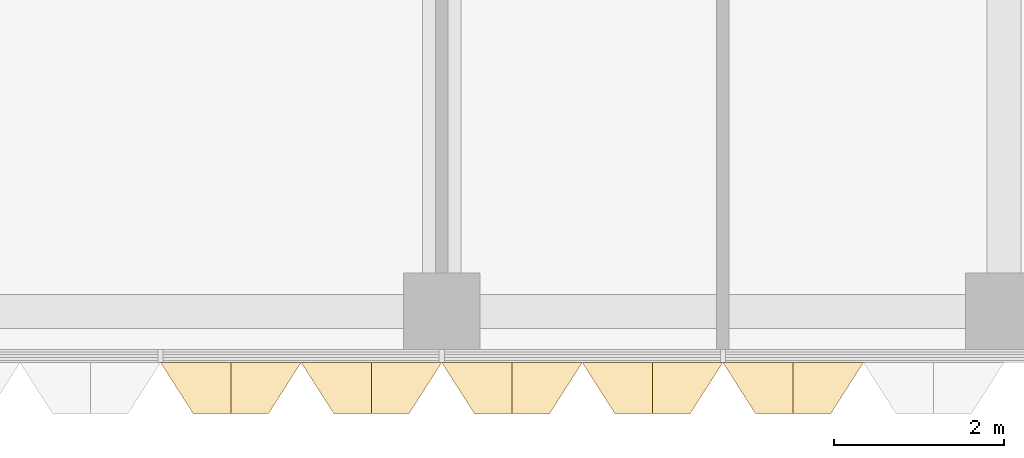
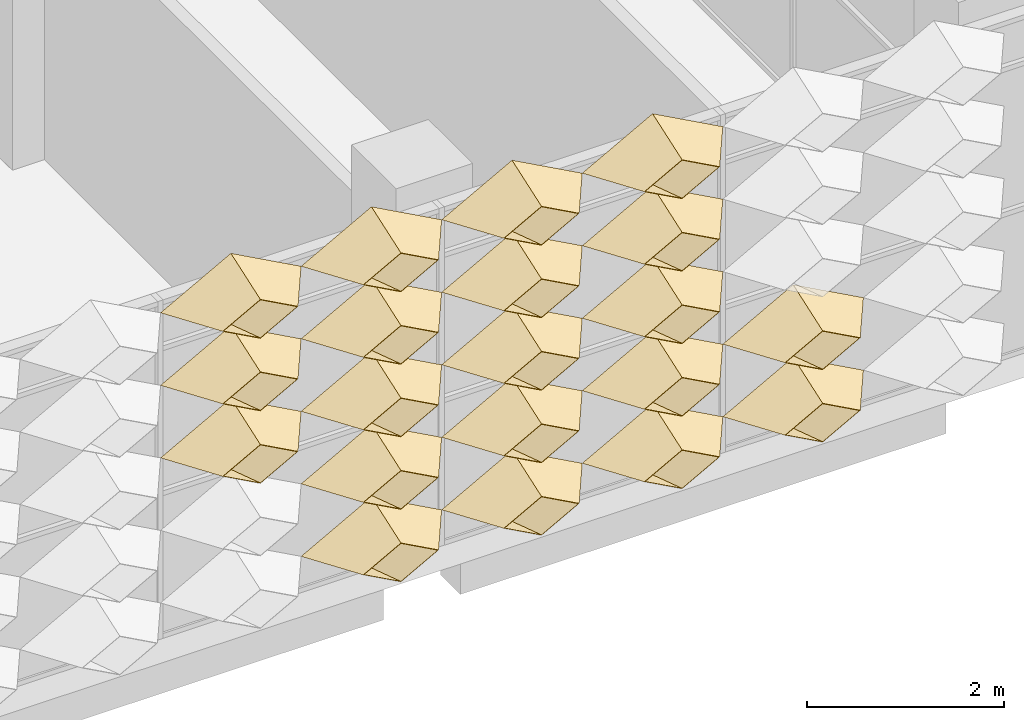
# One storey, part 78 of 109: 20 coverings.
"""IFC4 building model written with IfcOpenShell, lengths in metres."""

from ifc_helpers import new_model, entity, si_unit, direction, frame, origin, place, context, subcontext, project, spatial, material, layer, layer_set, type_object, element, save


model = new_model("IFC4")

# Units and contexts
model_context = context("Model", 3, precision=1e-05, world=origin(), true_north=direction((0.0, 1.0)))
body_context = subcontext(model_context, "Body", "Model", "MODEL_VIEW")
ifc_project = project(units=[si_unit("LENGTHUNIT", "METRE"), si_unit("AREAUNIT", "SQUARE_METRE"), si_unit("VOLUMEUNIT", "CUBIC_METRE"), si_unit("PLANEANGLEUNIT", "RADIAN"), si_unit("MASSUNIT", "GRAM", prefix="KILO")], contexts=[model_context])

# Site, building, storey
site_placement = place(None, origin())
site = spatial("IfcSite", under=ifc_project, at=site_placement, CompositionType="ELEMENT")
building_placement = place(site_placement, origin())
building = spatial("IfcBuilding", under=site, at=building_placement, Name="Lantern Court Research Institute", CompositionType="ELEMENT")
storey_placement = place(building_placement, frame((0.0, 0.0, 14.39990234375)))
storey = spatial("IfcBuildingStorey", under=building, at=storey_placement, Name="L03", CompositionType="ELEMENT", Elevation=14.39990234375)

# Coverings
ifc_material = material(Name="Anodised aluminium", Category="aluminium")
ifc_layer = layer(ifc_material, 0.01611328125)
ifc_layer_set = layer_set([ifc_layer], Name="Anodised aluminium")
covering_type = type_object("IfcCoveringType", Name="Fin cassette 1650 x 900 x 600 aluminium", PredefinedType="CLADDING", material=ifc_layer_set)
covering_1_placement = place(storey_placement, frame((71.77490234375, -8.39990234375, 0.4501953125), z_axis=(0.0, -1.0, 0.0), x_axis=(1.0, 0.0, 0.0)))
cartesian_point_1 = entity("IfcCartesianPoint", [0.824951171875, 0.0])
cartesian_point_2 = entity("IfcCartesianPoint", [0.79150390625, 0.0])
cartesian_point_3 = entity("IfcCartesianPoint", [0.44189453125, 0.0])
cartesian_point_4 = entity("IfcCartesianPoint", [0.43359375, 0.0])
element("IfcCovering", 1, at=covering_1_placement, inside=storey, type_object=covering_type, Name="Fin cassette V5S-L03 1.44", PredefinedType="CLADDING", context=body_context, shape_type="SweptSolid", body=[
    entity("IfcExtrudedAreaSolidTapered", entity("IfcArbitraryProfileDefWithVoids", "AREA", None, entity("IfcPolyline", [cartesian_point_1, entity("IfcCartesianPoint", [0.0, 0.449951171875]), entity("IfcCartesianPoint", [-0.824951171875, 0.0]), entity("IfcCartesianPoint", [0.0, -0.449951171875]), cartesian_point_1]), [entity("IfcPolyline", [cartesian_point_2, entity("IfcCartesianPoint", [0.0, 0.431884765625]), entity("IfcCartesianPoint", [-0.79150390625, 0.0]), entity("IfcCartesianPoint", [0.0, -0.431884765625]), cartesian_point_2])]), entity("IfcAxis2Placement3D", entity("IfcCartesianPoint", [0.0, 0.0, 0.0])), entity("IfcDirection", [0.0, 0.0, 1.0]), 0.60009765625, entity("IfcArbitraryProfileDefWithVoids", "AREA", None, entity("IfcPolyline", [cartesian_point_3, entity("IfcCartesianPoint", [0.0, 0.240966796875]), entity("IfcCartesianPoint", [-0.44189453125, 0.0]), entity("IfcCartesianPoint", [0.0, -0.240966796875]), cartesian_point_3]), [entity("IfcPolyline", [cartesian_point_4, entity("IfcCartesianPoint", [0.0, 0.236572265625]), entity("IfcCartesianPoint", [-0.43359375, 0.0]), entity("IfcCartesianPoint", [0.0, -0.236572265625]), cartesian_point_4])])),
])
covering_2_placement = place(storey_placement, frame((73.425048828125, -8.39990234375, 0.4501953125), z_axis=(0.0, -1.0, 0.0), x_axis=(1.0, 0.0, 0.0)))
cartesian_point_5 = entity("IfcCartesianPoint", [0.824951171875, 0.0])
cartesian_point_6 = entity("IfcCartesianPoint", [0.79150390625, 0.0])
cartesian_point_7 = entity("IfcCartesianPoint", [0.44189453125, 0.0])
cartesian_point_8 = entity("IfcCartesianPoint", [0.43359375, 0.0])
element("IfcCovering", 2, at=covering_2_placement, inside=storey, type_object=covering_type, Name="Fin cassette V5S-L03 1.45", PredefinedType="CLADDING", context=body_context, shape_type="SweptSolid", body=[
    entity("IfcExtrudedAreaSolidTapered", entity("IfcArbitraryProfileDefWithVoids", "AREA", None, entity("IfcPolyline", [cartesian_point_5, entity("IfcCartesianPoint", [0.0, 0.449951171875]), entity("IfcCartesianPoint", [-0.824951171875, 0.0]), entity("IfcCartesianPoint", [0.0, -0.449951171875]), cartesian_point_5]), [entity("IfcPolyline", [cartesian_point_6, entity("IfcCartesianPoint", [0.0, 0.431884765625]), entity("IfcCartesianPoint", [-0.79150390625, 0.0]), entity("IfcCartesianPoint", [0.0, -0.431884765625]), cartesian_point_6])]), entity("IfcAxis2Placement3D", entity("IfcCartesianPoint", [0.0, 0.0, 0.0])), entity("IfcDirection", [0.0, 0.0, 1.0]), 0.60009765625, entity("IfcArbitraryProfileDefWithVoids", "AREA", None, entity("IfcPolyline", [cartesian_point_7, entity("IfcCartesianPoint", [0.0, 0.240966796875]), entity("IfcCartesianPoint", [-0.44189453125, 0.0]), entity("IfcCartesianPoint", [0.0, -0.240966796875]), cartesian_point_7]), [entity("IfcPolyline", [cartesian_point_8, entity("IfcCartesianPoint", [0.0, 0.236572265625]), entity("IfcCartesianPoint", [-0.43359375, 0.0]), entity("IfcCartesianPoint", [0.0, -0.236572265625]), cartesian_point_8])])),
])
covering_3_placement = place(storey_placement, frame((75.074951171875, -8.39990234375, 0.4501953125), z_axis=(0.0, -1.0, 0.0), x_axis=(1.0, 0.0, 0.0)))
cartesian_point_9 = entity("IfcCartesianPoint", [0.824951171875, 0.0])
cartesian_point_10 = entity("IfcCartesianPoint", [0.79150390625, 0.0])
cartesian_point_11 = entity("IfcCartesianPoint", [0.44189453125, 0.0])
cartesian_point_12 = entity("IfcCartesianPoint", [0.43359375, 0.0])
element("IfcCovering", 3, at=covering_3_placement, inside=storey, type_object=covering_type, Name="Fin cassette V5S-L03 1.46", PredefinedType="CLADDING", context=body_context, shape_type="SweptSolid", body=[
    entity("IfcExtrudedAreaSolidTapered", entity("IfcArbitraryProfileDefWithVoids", "AREA", None, entity("IfcPolyline", [cartesian_point_9, entity("IfcCartesianPoint", [0.0, 0.449951171875]), entity("IfcCartesianPoint", [-0.824951171875, 0.0]), entity("IfcCartesianPoint", [0.0, -0.449951171875]), cartesian_point_9]), [entity("IfcPolyline", [cartesian_point_10, entity("IfcCartesianPoint", [0.0, 0.431884765625]), entity("IfcCartesianPoint", [-0.79150390625, 0.0]), entity("IfcCartesianPoint", [0.0, -0.431884765625]), cartesian_point_10])]), entity("IfcAxis2Placement3D", entity("IfcCartesianPoint", [0.0, 0.0, 0.0])), entity("IfcDirection", [0.0, 0.0, 1.0]), 0.60009765625, entity("IfcArbitraryProfileDefWithVoids", "AREA", None, entity("IfcPolyline", [cartesian_point_11, entity("IfcCartesianPoint", [0.0, 0.240966796875]), entity("IfcCartesianPoint", [-0.44189453125, 0.0]), entity("IfcCartesianPoint", [0.0, -0.240966796875]), cartesian_point_11]), [entity("IfcPolyline", [cartesian_point_12, entity("IfcCartesianPoint", [0.0, 0.236572265625]), entity("IfcCartesianPoint", [-0.43359375, 0.0]), entity("IfcCartesianPoint", [0.0, -0.236572265625]), cartesian_point_12])])),
])
covering_4_placement = place(storey_placement, frame((76.72509765625, -8.39990234375, 0.4501953125), z_axis=(0.0, -1.0, 0.0), x_axis=(1.0, 0.0, 0.0)))
cartesian_point_13 = entity("IfcCartesianPoint", [0.824951171875, 0.0])
cartesian_point_14 = entity("IfcCartesianPoint", [0.79150390625, 0.0])
cartesian_point_15 = entity("IfcCartesianPoint", [0.44189453125, 0.0])
cartesian_point_16 = entity("IfcCartesianPoint", [0.43359375, 0.0])
element("IfcCovering", 4, at=covering_4_placement, inside=storey, type_object=covering_type, Name="Fin cassette V5S-L03 1.47", PredefinedType="CLADDING", context=body_context, shape_type="SweptSolid", body=[
    entity("IfcExtrudedAreaSolidTapered", entity("IfcArbitraryProfileDefWithVoids", "AREA", None, entity("IfcPolyline", [cartesian_point_13, entity("IfcCartesianPoint", [0.0, 0.449951171875]), entity("IfcCartesianPoint", [-0.824951171875, 0.0]), entity("IfcCartesianPoint", [0.0, -0.449951171875]), cartesian_point_13]), [entity("IfcPolyline", [cartesian_point_14, entity("IfcCartesianPoint", [0.0, 0.431884765625]), entity("IfcCartesianPoint", [-0.79150390625, 0.0]), entity("IfcCartesianPoint", [0.0, -0.431884765625]), cartesian_point_14])]), entity("IfcAxis2Placement3D", entity("IfcCartesianPoint", [0.0, 0.0, 0.0])), entity("IfcDirection", [0.0, 0.0, 1.0]), 0.60009765625, entity("IfcArbitraryProfileDefWithVoids", "AREA", None, entity("IfcPolyline", [cartesian_point_15, entity("IfcCartesianPoint", [0.0, 0.240966796875]), entity("IfcCartesianPoint", [-0.44189453125, 0.0]), entity("IfcCartesianPoint", [0.0, -0.240966796875]), cartesian_point_15]), [entity("IfcPolyline", [cartesian_point_16, entity("IfcCartesianPoint", [0.0, 0.236572265625]), entity("IfcCartesianPoint", [-0.43359375, 0.0]), entity("IfcCartesianPoint", [0.0, -0.236572265625]), cartesian_point_16])])),
])
covering_5_placement = place(storey_placement, frame((71.77490234375, -8.39990234375, 1.35009765625), z_axis=(0.0, -1.0, 0.0), x_axis=(1.0, 0.0, 0.0)))
cartesian_point_17 = entity("IfcCartesianPoint", [0.824951171875, 0.0])
cartesian_point_18 = entity("IfcCartesianPoint", [0.79150390625, 0.0])
cartesian_point_19 = entity("IfcCartesianPoint", [0.44189453125, 0.0])
cartesian_point_20 = entity("IfcCartesianPoint", [0.43359375, 0.0])
element("IfcCovering", 5, at=covering_5_placement, inside=storey, type_object=covering_type, Name="Fin cassette V5S-L03 2.44", PredefinedType="CLADDING", context=body_context, shape_type="SweptSolid", body=[
    entity("IfcExtrudedAreaSolidTapered", entity("IfcArbitraryProfileDefWithVoids", "AREA", None, entity("IfcPolyline", [cartesian_point_17, entity("IfcCartesianPoint", [0.0, 0.449951171875]), entity("IfcCartesianPoint", [-0.824951171875, 0.0]), entity("IfcCartesianPoint", [0.0, -0.449951171875]), cartesian_point_17]), [entity("IfcPolyline", [cartesian_point_18, entity("IfcCartesianPoint", [0.0, 0.431884765625]), entity("IfcCartesianPoint", [-0.79150390625, 0.0]), entity("IfcCartesianPoint", [0.0, -0.431884765625]), cartesian_point_18])]), entity("IfcAxis2Placement3D", entity("IfcCartesianPoint", [0.0, 0.0, 0.0])), entity("IfcDirection", [0.0, 0.0, 1.0]), 0.60009765625, entity("IfcArbitraryProfileDefWithVoids", "AREA", None, entity("IfcPolyline", [cartesian_point_19, entity("IfcCartesianPoint", [0.0, 0.240966796875]), entity("IfcCartesianPoint", [-0.44189453125, 0.0]), entity("IfcCartesianPoint", [0.0, -0.240966796875]), cartesian_point_19]), [entity("IfcPolyline", [cartesian_point_20, entity("IfcCartesianPoint", [0.0, 0.236572265625]), entity("IfcCartesianPoint", [-0.43359375, 0.0]), entity("IfcCartesianPoint", [0.0, -0.236572265625]), cartesian_point_20])])),
])
covering_6_placement = place(storey_placement, frame((73.425048828125, -8.39990234375, 1.35009765625), z_axis=(0.0, -1.0, 0.0), x_axis=(1.0, 0.0, 0.0)))
cartesian_point_21 = entity("IfcCartesianPoint", [0.824951171875, 0.0])
cartesian_point_22 = entity("IfcCartesianPoint", [0.79150390625, 0.0])
cartesian_point_23 = entity("IfcCartesianPoint", [0.44189453125, 0.0])
cartesian_point_24 = entity("IfcCartesianPoint", [0.43359375, 0.0])
element("IfcCovering", 6, at=covering_6_placement, inside=storey, type_object=covering_type, Name="Fin cassette V5S-L03 2.45", PredefinedType="CLADDING", context=body_context, shape_type="SweptSolid", body=[
    entity("IfcExtrudedAreaSolidTapered", entity("IfcArbitraryProfileDefWithVoids", "AREA", None, entity("IfcPolyline", [cartesian_point_21, entity("IfcCartesianPoint", [0.0, 0.449951171875]), entity("IfcCartesianPoint", [-0.824951171875, 0.0]), entity("IfcCartesianPoint", [0.0, -0.449951171875]), cartesian_point_21]), [entity("IfcPolyline", [cartesian_point_22, entity("IfcCartesianPoint", [0.0, 0.431884765625]), entity("IfcCartesianPoint", [-0.79150390625, 0.0]), entity("IfcCartesianPoint", [0.0, -0.431884765625]), cartesian_point_22])]), entity("IfcAxis2Placement3D", entity("IfcCartesianPoint", [0.0, 0.0, 0.0])), entity("IfcDirection", [0.0, 0.0, 1.0]), 0.60009765625, entity("IfcArbitraryProfileDefWithVoids", "AREA", None, entity("IfcPolyline", [cartesian_point_23, entity("IfcCartesianPoint", [0.0, 0.240966796875]), entity("IfcCartesianPoint", [-0.44189453125, 0.0]), entity("IfcCartesianPoint", [0.0, -0.240966796875]), cartesian_point_23]), [entity("IfcPolyline", [cartesian_point_24, entity("IfcCartesianPoint", [0.0, 0.236572265625]), entity("IfcCartesianPoint", [-0.43359375, 0.0]), entity("IfcCartesianPoint", [0.0, -0.236572265625]), cartesian_point_24])])),
])
covering_7_placement = place(storey_placement, frame((75.074951171875, -8.39990234375, 1.35009765625), z_axis=(0.0, -1.0, 0.0), x_axis=(1.0, 0.0, 0.0)))
cartesian_point_25 = entity("IfcCartesianPoint", [0.824951171875, 0.0])
cartesian_point_26 = entity("IfcCartesianPoint", [0.79150390625, 0.0])
cartesian_point_27 = entity("IfcCartesianPoint", [0.44189453125, 0.0])
cartesian_point_28 = entity("IfcCartesianPoint", [0.43359375, 0.0])
element("IfcCovering", 7, at=covering_7_placement, inside=storey, type_object=covering_type, Name="Fin cassette V5S-L03 2.46", PredefinedType="CLADDING", context=body_context, shape_type="SweptSolid", body=[
    entity("IfcExtrudedAreaSolidTapered", entity("IfcArbitraryProfileDefWithVoids", "AREA", None, entity("IfcPolyline", [cartesian_point_25, entity("IfcCartesianPoint", [0.0, 0.449951171875]), entity("IfcCartesianPoint", [-0.824951171875, 0.0]), entity("IfcCartesianPoint", [0.0, -0.449951171875]), cartesian_point_25]), [entity("IfcPolyline", [cartesian_point_26, entity("IfcCartesianPoint", [0.0, 0.431884765625]), entity("IfcCartesianPoint", [-0.79150390625, 0.0]), entity("IfcCartesianPoint", [0.0, -0.431884765625]), cartesian_point_26])]), entity("IfcAxis2Placement3D", entity("IfcCartesianPoint", [0.0, 0.0, 0.0])), entity("IfcDirection", [0.0, 0.0, 1.0]), 0.60009765625, entity("IfcArbitraryProfileDefWithVoids", "AREA", None, entity("IfcPolyline", [cartesian_point_27, entity("IfcCartesianPoint", [0.0, 0.240966796875]), entity("IfcCartesianPoint", [-0.44189453125, 0.0]), entity("IfcCartesianPoint", [0.0, -0.240966796875]), cartesian_point_27]), [entity("IfcPolyline", [cartesian_point_28, entity("IfcCartesianPoint", [0.0, 0.236572265625]), entity("IfcCartesianPoint", [-0.43359375, 0.0]), entity("IfcCartesianPoint", [0.0, -0.236572265625]), cartesian_point_28])])),
])
covering_8_placement = place(storey_placement, frame((76.72509765625, -8.39990234375, 1.35009765625), z_axis=(0.0, -1.0, 0.0), x_axis=(1.0, 0.0, 0.0)))
cartesian_point_29 = entity("IfcCartesianPoint", [0.824951171875, 0.0])
cartesian_point_30 = entity("IfcCartesianPoint", [0.79150390625, 0.0])
cartesian_point_31 = entity("IfcCartesianPoint", [0.44189453125, 0.0])
cartesian_point_32 = entity("IfcCartesianPoint", [0.43359375, 0.0])
element("IfcCovering", 8, at=covering_8_placement, inside=storey, type_object=covering_type, Name="Fin cassette V5S-L03 2.47", PredefinedType="CLADDING", context=body_context, shape_type="SweptSolid", body=[
    entity("IfcExtrudedAreaSolidTapered", entity("IfcArbitraryProfileDefWithVoids", "AREA", None, entity("IfcPolyline", [cartesian_point_29, entity("IfcCartesianPoint", [0.0, 0.449951171875]), entity("IfcCartesianPoint", [-0.824951171875, 0.0]), entity("IfcCartesianPoint", [0.0, -0.449951171875]), cartesian_point_29]), [entity("IfcPolyline", [cartesian_point_30, entity("IfcCartesianPoint", [0.0, 0.431884765625]), entity("IfcCartesianPoint", [-0.79150390625, 0.0]), entity("IfcCartesianPoint", [0.0, -0.431884765625]), cartesian_point_30])]), entity("IfcAxis2Placement3D", entity("IfcCartesianPoint", [0.0, 0.0, 0.0])), entity("IfcDirection", [0.0, 0.0, 1.0]), 0.60009765625, entity("IfcArbitraryProfileDefWithVoids", "AREA", None, entity("IfcPolyline", [cartesian_point_31, entity("IfcCartesianPoint", [0.0, 0.240966796875]), entity("IfcCartesianPoint", [-0.44189453125, 0.0]), entity("IfcCartesianPoint", [0.0, -0.240966796875]), cartesian_point_31]), [entity("IfcPolyline", [cartesian_point_32, entity("IfcCartesianPoint", [0.0, 0.236572265625]), entity("IfcCartesianPoint", [-0.43359375, 0.0]), entity("IfcCartesianPoint", [0.0, -0.236572265625]), cartesian_point_32])])),
])
covering_9_placement = place(storey_placement, frame((70.125, -8.39990234375, 2.25), z_axis=(0.0, -1.0, 0.0), x_axis=(1.0, 0.0, 0.0)))
cartesian_point_33 = entity("IfcCartesianPoint", [0.824951171875, 0.0])
cartesian_point_34 = entity("IfcCartesianPoint", [0.79150390625, 0.0])
cartesian_point_35 = entity("IfcCartesianPoint", [0.44189453125, 0.0])
cartesian_point_36 = entity("IfcCartesianPoint", [0.43359375, 0.0])
element("IfcCovering", 9, at=covering_9_placement, inside=storey, type_object=covering_type, Name="Fin cassette V5S-L03 3.43", PredefinedType="CLADDING", context=body_context, shape_type="SweptSolid", body=[
    entity("IfcExtrudedAreaSolidTapered", entity("IfcArbitraryProfileDefWithVoids", "AREA", None, entity("IfcPolyline", [cartesian_point_33, entity("IfcCartesianPoint", [0.0, 0.449951171875]), entity("IfcCartesianPoint", [-0.824951171875, 0.0]), entity("IfcCartesianPoint", [0.0, -0.449951171875]), cartesian_point_33]), [entity("IfcPolyline", [cartesian_point_34, entity("IfcCartesianPoint", [0.0, 0.431884765625]), entity("IfcCartesianPoint", [-0.79150390625, 0.0]), entity("IfcCartesianPoint", [0.0, -0.431884765625]), cartesian_point_34])]), entity("IfcAxis2Placement3D", entity("IfcCartesianPoint", [0.0, 0.0, 0.0])), entity("IfcDirection", [0.0, 0.0, 1.0]), 0.60009765625, entity("IfcArbitraryProfileDefWithVoids", "AREA", None, entity("IfcPolyline", [cartesian_point_35, entity("IfcCartesianPoint", [0.0, 0.240966796875]), entity("IfcCartesianPoint", [-0.44189453125, 0.0]), entity("IfcCartesianPoint", [0.0, -0.240966796875]), cartesian_point_35]), [entity("IfcPolyline", [cartesian_point_36, entity("IfcCartesianPoint", [0.0, 0.236572265625]), entity("IfcCartesianPoint", [-0.43359375, 0.0]), entity("IfcCartesianPoint", [0.0, -0.236572265625]), cartesian_point_36])])),
])
covering_10_placement = place(storey_placement, frame((71.77490234375, -8.39990234375, 2.25), z_axis=(0.0, -1.0, 0.0), x_axis=(1.0, 0.0, 0.0)))
cartesian_point_37 = entity("IfcCartesianPoint", [0.824951171875, 0.0])
cartesian_point_38 = entity("IfcCartesianPoint", [0.79150390625, 0.0])
cartesian_point_39 = entity("IfcCartesianPoint", [0.44189453125, 0.0])
cartesian_point_40 = entity("IfcCartesianPoint", [0.43359375, 0.0])
element("IfcCovering", 10, at=covering_10_placement, inside=storey, type_object=covering_type, Name="Fin cassette V5S-L03 3.44", PredefinedType="CLADDING", context=body_context, shape_type="SweptSolid", body=[
    entity("IfcExtrudedAreaSolidTapered", entity("IfcArbitraryProfileDefWithVoids", "AREA", None, entity("IfcPolyline", [cartesian_point_37, entity("IfcCartesianPoint", [0.0, 0.449951171875]), entity("IfcCartesianPoint", [-0.824951171875, 0.0]), entity("IfcCartesianPoint", [0.0, -0.449951171875]), cartesian_point_37]), [entity("IfcPolyline", [cartesian_point_38, entity("IfcCartesianPoint", [0.0, 0.431884765625]), entity("IfcCartesianPoint", [-0.79150390625, 0.0]), entity("IfcCartesianPoint", [0.0, -0.431884765625]), cartesian_point_38])]), entity("IfcAxis2Placement3D", entity("IfcCartesianPoint", [0.0, 0.0, 0.0])), entity("IfcDirection", [0.0, 0.0, 1.0]), 0.60009765625, entity("IfcArbitraryProfileDefWithVoids", "AREA", None, entity("IfcPolyline", [cartesian_point_39, entity("IfcCartesianPoint", [0.0, 0.240966796875]), entity("IfcCartesianPoint", [-0.44189453125, 0.0]), entity("IfcCartesianPoint", [0.0, -0.240966796875]), cartesian_point_39]), [entity("IfcPolyline", [cartesian_point_40, entity("IfcCartesianPoint", [0.0, 0.236572265625]), entity("IfcCartesianPoint", [-0.43359375, 0.0]), entity("IfcCartesianPoint", [0.0, -0.236572265625]), cartesian_point_40])])),
])
covering_11_placement = place(storey_placement, frame((73.425048828125, -8.39990234375, 2.25), z_axis=(0.0, -1.0, 0.0), x_axis=(1.0, 0.0, 0.0)))
cartesian_point_41 = entity("IfcCartesianPoint", [0.824951171875, 0.0])
cartesian_point_42 = entity("IfcCartesianPoint", [0.79150390625, 0.0])
cartesian_point_43 = entity("IfcCartesianPoint", [0.44189453125, 0.0])
cartesian_point_44 = entity("IfcCartesianPoint", [0.43359375, 0.0])
element("IfcCovering", 11, at=covering_11_placement, inside=storey, type_object=covering_type, Name="Fin cassette V5S-L03 3.45", PredefinedType="CLADDING", context=body_context, shape_type="SweptSolid", body=[
    entity("IfcExtrudedAreaSolidTapered", entity("IfcArbitraryProfileDefWithVoids", "AREA", None, entity("IfcPolyline", [cartesian_point_41, entity("IfcCartesianPoint", [0.0, 0.449951171875]), entity("IfcCartesianPoint", [-0.824951171875, 0.0]), entity("IfcCartesianPoint", [0.0, -0.449951171875]), cartesian_point_41]), [entity("IfcPolyline", [cartesian_point_42, entity("IfcCartesianPoint", [0.0, 0.431884765625]), entity("IfcCartesianPoint", [-0.79150390625, 0.0]), entity("IfcCartesianPoint", [0.0, -0.431884765625]), cartesian_point_42])]), entity("IfcAxis2Placement3D", entity("IfcCartesianPoint", [0.0, 0.0, 0.0])), entity("IfcDirection", [0.0, 0.0, 1.0]), 0.60009765625, entity("IfcArbitraryProfileDefWithVoids", "AREA", None, entity("IfcPolyline", [cartesian_point_43, entity("IfcCartesianPoint", [0.0, 0.240966796875]), entity("IfcCartesianPoint", [-0.44189453125, 0.0]), entity("IfcCartesianPoint", [0.0, -0.240966796875]), cartesian_point_43]), [entity("IfcPolyline", [cartesian_point_44, entity("IfcCartesianPoint", [0.0, 0.236572265625]), entity("IfcCartesianPoint", [-0.43359375, 0.0]), entity("IfcCartesianPoint", [0.0, -0.236572265625]), cartesian_point_44])])),
])
covering_12_placement = place(storey_placement, frame((75.074951171875, -8.39990234375, 2.25), z_axis=(0.0, -1.0, 0.0), x_axis=(1.0, 0.0, 0.0)))
cartesian_point_45 = entity("IfcCartesianPoint", [0.824951171875, 0.0])
cartesian_point_46 = entity("IfcCartesianPoint", [0.79150390625, 0.0])
cartesian_point_47 = entity("IfcCartesianPoint", [0.44189453125, 0.0])
cartesian_point_48 = entity("IfcCartesianPoint", [0.43359375, 0.0])
element("IfcCovering", 12, at=covering_12_placement, inside=storey, type_object=covering_type, Name="Fin cassette V5S-L03 3.46", PredefinedType="CLADDING", context=body_context, shape_type="SweptSolid", body=[
    entity("IfcExtrudedAreaSolidTapered", entity("IfcArbitraryProfileDefWithVoids", "AREA", None, entity("IfcPolyline", [cartesian_point_45, entity("IfcCartesianPoint", [0.0, 0.449951171875]), entity("IfcCartesianPoint", [-0.824951171875, 0.0]), entity("IfcCartesianPoint", [0.0, -0.449951171875]), cartesian_point_45]), [entity("IfcPolyline", [cartesian_point_46, entity("IfcCartesianPoint", [0.0, 0.431884765625]), entity("IfcCartesianPoint", [-0.79150390625, 0.0]), entity("IfcCartesianPoint", [0.0, -0.431884765625]), cartesian_point_46])]), entity("IfcAxis2Placement3D", entity("IfcCartesianPoint", [0.0, 0.0, 0.0])), entity("IfcDirection", [0.0, 0.0, 1.0]), 0.60009765625, entity("IfcArbitraryProfileDefWithVoids", "AREA", None, entity("IfcPolyline", [cartesian_point_47, entity("IfcCartesianPoint", [0.0, 0.240966796875]), entity("IfcCartesianPoint", [-0.44189453125, 0.0]), entity("IfcCartesianPoint", [0.0, -0.240966796875]), cartesian_point_47]), [entity("IfcPolyline", [cartesian_point_48, entity("IfcCartesianPoint", [0.0, 0.236572265625]), entity("IfcCartesianPoint", [-0.43359375, 0.0]), entity("IfcCartesianPoint", [0.0, -0.236572265625]), cartesian_point_48])])),
])
covering_13_placement = place(storey_placement, frame((70.125, -8.39990234375, 3.150146484375), z_axis=(0.0, -1.0, 0.0), x_axis=(1.0, 0.0, 0.0)))
cartesian_point_49 = entity("IfcCartesianPoint", [0.824951171875, 0.0])
cartesian_point_50 = entity("IfcCartesianPoint", [0.79150390625, 0.0])
cartesian_point_51 = entity("IfcCartesianPoint", [0.44189453125, 0.0])
cartesian_point_52 = entity("IfcCartesianPoint", [0.43359375, 0.0])
element("IfcCovering", 13, at=covering_13_placement, inside=storey, type_object=covering_type, Name="Fin cassette V5S-L03 4.43", PredefinedType="CLADDING", context=body_context, shape_type="SweptSolid", body=[
    entity("IfcExtrudedAreaSolidTapered", entity("IfcArbitraryProfileDefWithVoids", "AREA", None, entity("IfcPolyline", [cartesian_point_49, entity("IfcCartesianPoint", [0.0, 0.449951171875]), entity("IfcCartesianPoint", [-0.824951171875, 0.0]), entity("IfcCartesianPoint", [0.0, -0.449951171875]), cartesian_point_49]), [entity("IfcPolyline", [cartesian_point_50, entity("IfcCartesianPoint", [0.0, 0.431884765625]), entity("IfcCartesianPoint", [-0.79150390625, 0.0]), entity("IfcCartesianPoint", [0.0, -0.431884765625]), cartesian_point_50])]), entity("IfcAxis2Placement3D", entity("IfcCartesianPoint", [0.0, 0.0, 0.0])), entity("IfcDirection", [0.0, 0.0, 1.0]), 0.60009765625, entity("IfcArbitraryProfileDefWithVoids", "AREA", None, entity("IfcPolyline", [cartesian_point_51, entity("IfcCartesianPoint", [0.0, 0.240966796875]), entity("IfcCartesianPoint", [-0.44189453125, 0.0]), entity("IfcCartesianPoint", [0.0, -0.240966796875]), cartesian_point_51]), [entity("IfcPolyline", [cartesian_point_52, entity("IfcCartesianPoint", [0.0, 0.236572265625]), entity("IfcCartesianPoint", [-0.43359375, 0.0]), entity("IfcCartesianPoint", [0.0, -0.236572265625]), cartesian_point_52])])),
])
covering_14_placement = place(storey_placement, frame((71.77490234375, -8.39990234375, 3.150146484375), z_axis=(0.0, -1.0, 0.0), x_axis=(1.0, 0.0, 0.0)))
cartesian_point_53 = entity("IfcCartesianPoint", [0.824951171875, 0.0])
cartesian_point_54 = entity("IfcCartesianPoint", [0.79150390625, 0.0])
cartesian_point_55 = entity("IfcCartesianPoint", [0.44189453125, 0.0])
cartesian_point_56 = entity("IfcCartesianPoint", [0.43359375, 0.0])
element("IfcCovering", 14, at=covering_14_placement, inside=storey, type_object=covering_type, Name="Fin cassette V5S-L03 4.44", PredefinedType="CLADDING", context=body_context, shape_type="SweptSolid", body=[
    entity("IfcExtrudedAreaSolidTapered", entity("IfcArbitraryProfileDefWithVoids", "AREA", None, entity("IfcPolyline", [cartesian_point_53, entity("IfcCartesianPoint", [0.0, 0.449951171875]), entity("IfcCartesianPoint", [-0.824951171875, 0.0]), entity("IfcCartesianPoint", [0.0, -0.449951171875]), cartesian_point_53]), [entity("IfcPolyline", [cartesian_point_54, entity("IfcCartesianPoint", [0.0, 0.431884765625]), entity("IfcCartesianPoint", [-0.79150390625, 0.0]), entity("IfcCartesianPoint", [0.0, -0.431884765625]), cartesian_point_54])]), entity("IfcAxis2Placement3D", entity("IfcCartesianPoint", [0.0, 0.0, 0.0])), entity("IfcDirection", [0.0, 0.0, 1.0]), 0.60009765625, entity("IfcArbitraryProfileDefWithVoids", "AREA", None, entity("IfcPolyline", [cartesian_point_55, entity("IfcCartesianPoint", [0.0, 0.240966796875]), entity("IfcCartesianPoint", [-0.44189453125, 0.0]), entity("IfcCartesianPoint", [0.0, -0.240966796875]), cartesian_point_55]), [entity("IfcPolyline", [cartesian_point_56, entity("IfcCartesianPoint", [0.0, 0.236572265625]), entity("IfcCartesianPoint", [-0.43359375, 0.0]), entity("IfcCartesianPoint", [0.0, -0.236572265625]), cartesian_point_56])])),
])
covering_15_placement = place(storey_placement, frame((73.425048828125, -8.39990234375, 3.150146484375), z_axis=(0.0, -1.0, 0.0), x_axis=(1.0, 0.0, 0.0)))
cartesian_point_57 = entity("IfcCartesianPoint", [0.824951171875, 0.0])
cartesian_point_58 = entity("IfcCartesianPoint", [0.79150390625, 0.0])
cartesian_point_59 = entity("IfcCartesianPoint", [0.44189453125, 0.0])
cartesian_point_60 = entity("IfcCartesianPoint", [0.43359375, 0.0])
element("IfcCovering", 15, at=covering_15_placement, inside=storey, type_object=covering_type, Name="Fin cassette V5S-L03 4.45", PredefinedType="CLADDING", context=body_context, shape_type="SweptSolid", body=[
    entity("IfcExtrudedAreaSolidTapered", entity("IfcArbitraryProfileDefWithVoids", "AREA", None, entity("IfcPolyline", [cartesian_point_57, entity("IfcCartesianPoint", [0.0, 0.449951171875]), entity("IfcCartesianPoint", [-0.824951171875, 0.0]), entity("IfcCartesianPoint", [0.0, -0.449951171875]), cartesian_point_57]), [entity("IfcPolyline", [cartesian_point_58, entity("IfcCartesianPoint", [0.0, 0.431884765625]), entity("IfcCartesianPoint", [-0.79150390625, 0.0]), entity("IfcCartesianPoint", [0.0, -0.431884765625]), cartesian_point_58])]), entity("IfcAxis2Placement3D", entity("IfcCartesianPoint", [0.0, 0.0, 0.0])), entity("IfcDirection", [0.0, 0.0, 1.0]), 0.60009765625, entity("IfcArbitraryProfileDefWithVoids", "AREA", None, entity("IfcPolyline", [cartesian_point_59, entity("IfcCartesianPoint", [0.0, 0.240966796875]), entity("IfcCartesianPoint", [-0.44189453125, 0.0]), entity("IfcCartesianPoint", [0.0, -0.240966796875]), cartesian_point_59]), [entity("IfcPolyline", [cartesian_point_60, entity("IfcCartesianPoint", [0.0, 0.236572265625]), entity("IfcCartesianPoint", [-0.43359375, 0.0]), entity("IfcCartesianPoint", [0.0, -0.236572265625]), cartesian_point_60])])),
])
covering_16_placement = place(storey_placement, frame((75.074951171875, -8.39990234375, 3.150146484375), z_axis=(0.0, -1.0, 0.0), x_axis=(1.0, 0.0, 0.0)))
cartesian_point_61 = entity("IfcCartesianPoint", [0.824951171875, 0.0])
cartesian_point_62 = entity("IfcCartesianPoint", [0.79150390625, 0.0])
cartesian_point_63 = entity("IfcCartesianPoint", [0.44189453125, 0.0])
cartesian_point_64 = entity("IfcCartesianPoint", [0.43359375, 0.0])
element("IfcCovering", 16, at=covering_16_placement, inside=storey, type_object=covering_type, Name="Fin cassette V5S-L03 4.46", PredefinedType="CLADDING", context=body_context, shape_type="SweptSolid", body=[
    entity("IfcExtrudedAreaSolidTapered", entity("IfcArbitraryProfileDefWithVoids", "AREA", None, entity("IfcPolyline", [cartesian_point_61, entity("IfcCartesianPoint", [0.0, 0.449951171875]), entity("IfcCartesianPoint", [-0.824951171875, 0.0]), entity("IfcCartesianPoint", [0.0, -0.449951171875]), cartesian_point_61]), [entity("IfcPolyline", [cartesian_point_62, entity("IfcCartesianPoint", [0.0, 0.431884765625]), entity("IfcCartesianPoint", [-0.79150390625, 0.0]), entity("IfcCartesianPoint", [0.0, -0.431884765625]), cartesian_point_62])]), entity("IfcAxis2Placement3D", entity("IfcCartesianPoint", [0.0, 0.0, 0.0])), entity("IfcDirection", [0.0, 0.0, 1.0]), 0.60009765625, entity("IfcArbitraryProfileDefWithVoids", "AREA", None, entity("IfcPolyline", [cartesian_point_63, entity("IfcCartesianPoint", [0.0, 0.240966796875]), entity("IfcCartesianPoint", [-0.44189453125, 0.0]), entity("IfcCartesianPoint", [0.0, -0.240966796875]), cartesian_point_63]), [entity("IfcPolyline", [cartesian_point_64, entity("IfcCartesianPoint", [0.0, 0.236572265625]), entity("IfcCartesianPoint", [-0.43359375, 0.0]), entity("IfcCartesianPoint", [0.0, -0.236572265625]), cartesian_point_64])])),
])
covering_17_placement = place(storey_placement, frame((70.125, -8.39990234375, 4.050048828125), z_axis=(0.0, -1.0, 0.0), x_axis=(1.0, 0.0, 0.0)))
cartesian_point_65 = entity("IfcCartesianPoint", [0.824951171875, 0.0])
cartesian_point_66 = entity("IfcCartesianPoint", [0.79150390625, 0.0])
cartesian_point_67 = entity("IfcCartesianPoint", [0.44189453125, 0.0])
cartesian_point_68 = entity("IfcCartesianPoint", [0.43359375, 0.0])
element("IfcCovering", 17, at=covering_17_placement, inside=storey, type_object=covering_type, Name="Fin cassette V5S-L03 5.43", PredefinedType="CLADDING", context=body_context, shape_type="SweptSolid", body=[
    entity("IfcExtrudedAreaSolidTapered", entity("IfcArbitraryProfileDefWithVoids", "AREA", None, entity("IfcPolyline", [cartesian_point_65, entity("IfcCartesianPoint", [0.0, 0.449951171875]), entity("IfcCartesianPoint", [-0.824951171875, 0.0]), entity("IfcCartesianPoint", [0.0, -0.449951171875]), cartesian_point_65]), [entity("IfcPolyline", [cartesian_point_66, entity("IfcCartesianPoint", [0.0, 0.431884765625]), entity("IfcCartesianPoint", [-0.79150390625, 0.0]), entity("IfcCartesianPoint", [0.0, -0.431884765625]), cartesian_point_66])]), entity("IfcAxis2Placement3D", entity("IfcCartesianPoint", [0.0, 0.0, 0.0])), entity("IfcDirection", [0.0, 0.0, 1.0]), 0.60009765625, entity("IfcArbitraryProfileDefWithVoids", "AREA", None, entity("IfcPolyline", [cartesian_point_67, entity("IfcCartesianPoint", [0.0, 0.240966796875]), entity("IfcCartesianPoint", [-0.44189453125, 0.0]), entity("IfcCartesianPoint", [0.0, -0.240966796875]), cartesian_point_67]), [entity("IfcPolyline", [cartesian_point_68, entity("IfcCartesianPoint", [0.0, 0.236572265625]), entity("IfcCartesianPoint", [-0.43359375, 0.0]), entity("IfcCartesianPoint", [0.0, -0.236572265625]), cartesian_point_68])])),
])
covering_18_placement = place(storey_placement, frame((71.77490234375, -8.39990234375, 4.050048828125), z_axis=(0.0, -1.0, 0.0), x_axis=(1.0, 0.0, 0.0)))
cartesian_point_69 = entity("IfcCartesianPoint", [0.824951171875, 0.0])
cartesian_point_70 = entity("IfcCartesianPoint", [0.79150390625, 0.0])
cartesian_point_71 = entity("IfcCartesianPoint", [0.44189453125, 0.0])
cartesian_point_72 = entity("IfcCartesianPoint", [0.43359375, 0.0])
element("IfcCovering", 18, at=covering_18_placement, inside=storey, type_object=covering_type, Name="Fin cassette V5S-L03 5.44", PredefinedType="CLADDING", context=body_context, shape_type="SweptSolid", body=[
    entity("IfcExtrudedAreaSolidTapered", entity("IfcArbitraryProfileDefWithVoids", "AREA", None, entity("IfcPolyline", [cartesian_point_69, entity("IfcCartesianPoint", [0.0, 0.449951171875]), entity("IfcCartesianPoint", [-0.824951171875, 0.0]), entity("IfcCartesianPoint", [0.0, -0.449951171875]), cartesian_point_69]), [entity("IfcPolyline", [cartesian_point_70, entity("IfcCartesianPoint", [0.0, 0.431884765625]), entity("IfcCartesianPoint", [-0.79150390625, 0.0]), entity("IfcCartesianPoint", [0.0, -0.431884765625]), cartesian_point_70])]), entity("IfcAxis2Placement3D", entity("IfcCartesianPoint", [0.0, 0.0, 0.0])), entity("IfcDirection", [0.0, 0.0, 1.0]), 0.60009765625, entity("IfcArbitraryProfileDefWithVoids", "AREA", None, entity("IfcPolyline", [cartesian_point_71, entity("IfcCartesianPoint", [0.0, 0.240966796875]), entity("IfcCartesianPoint", [-0.44189453125, 0.0]), entity("IfcCartesianPoint", [0.0, -0.240966796875]), cartesian_point_71]), [entity("IfcPolyline", [cartesian_point_72, entity("IfcCartesianPoint", [0.0, 0.236572265625]), entity("IfcCartesianPoint", [-0.43359375, 0.0]), entity("IfcCartesianPoint", [0.0, -0.236572265625]), cartesian_point_72])])),
])
covering_19_placement = place(storey_placement, frame((73.425048828125, -8.39990234375, 4.050048828125), z_axis=(0.0, -1.0, 0.0), x_axis=(1.0, 0.0, 0.0)))
cartesian_point_73 = entity("IfcCartesianPoint", [0.824951171875, 0.0])
cartesian_point_74 = entity("IfcCartesianPoint", [0.79150390625, 0.0])
cartesian_point_75 = entity("IfcCartesianPoint", [0.44189453125, 0.0])
cartesian_point_76 = entity("IfcCartesianPoint", [0.43359375, 0.0])
element("IfcCovering", 19, at=covering_19_placement, inside=storey, type_object=covering_type, Name="Fin cassette V5S-L03 5.45", PredefinedType="CLADDING", context=body_context, shape_type="SweptSolid", body=[
    entity("IfcExtrudedAreaSolidTapered", entity("IfcArbitraryProfileDefWithVoids", "AREA", None, entity("IfcPolyline", [cartesian_point_73, entity("IfcCartesianPoint", [0.0, 0.449951171875]), entity("IfcCartesianPoint", [-0.824951171875, 0.0]), entity("IfcCartesianPoint", [0.0, -0.449951171875]), cartesian_point_73]), [entity("IfcPolyline", [cartesian_point_74, entity("IfcCartesianPoint", [0.0, 0.431884765625]), entity("IfcCartesianPoint", [-0.79150390625, 0.0]), entity("IfcCartesianPoint", [0.0, -0.431884765625]), cartesian_point_74])]), entity("IfcAxis2Placement3D", entity("IfcCartesianPoint", [0.0, 0.0, 0.0])), entity("IfcDirection", [0.0, 0.0, 1.0]), 0.60009765625, entity("IfcArbitraryProfileDefWithVoids", "AREA", None, entity("IfcPolyline", [cartesian_point_75, entity("IfcCartesianPoint", [0.0, 0.240966796875]), entity("IfcCartesianPoint", [-0.44189453125, 0.0]), entity("IfcCartesianPoint", [0.0, -0.240966796875]), cartesian_point_75]), [entity("IfcPolyline", [cartesian_point_76, entity("IfcCartesianPoint", [0.0, 0.236572265625]), entity("IfcCartesianPoint", [-0.43359375, 0.0]), entity("IfcCartesianPoint", [0.0, -0.236572265625]), cartesian_point_76])])),
])
covering_20_placement = place(storey_placement, frame((75.074951171875, -8.39990234375, 4.050048828125), z_axis=(0.0, -1.0, 0.0), x_axis=(1.0, 0.0, 0.0)))
cartesian_point_77 = entity("IfcCartesianPoint", [0.824951171875, 0.0])
cartesian_point_78 = entity("IfcCartesianPoint", [0.79150390625, 0.0])
cartesian_point_79 = entity("IfcCartesianPoint", [0.44189453125, 0.0])
cartesian_point_80 = entity("IfcCartesianPoint", [0.43359375, 0.0])
element("IfcCovering", 20, at=covering_20_placement, inside=storey, type_object=covering_type, Name="Fin cassette V5S-L03 5.46", PredefinedType="CLADDING", context=body_context, shape_type="SweptSolid", body=[
    entity("IfcExtrudedAreaSolidTapered", entity("IfcArbitraryProfileDefWithVoids", "AREA", None, entity("IfcPolyline", [cartesian_point_77, entity("IfcCartesianPoint", [0.0, 0.449951171875]), entity("IfcCartesianPoint", [-0.824951171875, 0.0]), entity("IfcCartesianPoint", [0.0, -0.449951171875]), cartesian_point_77]), [entity("IfcPolyline", [cartesian_point_78, entity("IfcCartesianPoint", [0.0, 0.431884765625]), entity("IfcCartesianPoint", [-0.79150390625, 0.0]), entity("IfcCartesianPoint", [0.0, -0.431884765625]), cartesian_point_78])]), entity("IfcAxis2Placement3D", entity("IfcCartesianPoint", [0.0, 0.0, 0.0])), entity("IfcDirection", [0.0, 0.0, 1.0]), 0.60009765625, entity("IfcArbitraryProfileDefWithVoids", "AREA", None, entity("IfcPolyline", [cartesian_point_79, entity("IfcCartesianPoint", [0.0, 0.240966796875]), entity("IfcCartesianPoint", [-0.44189453125, 0.0]), entity("IfcCartesianPoint", [0.0, -0.240966796875]), cartesian_point_79]), [entity("IfcPolyline", [cartesian_point_80, entity("IfcCartesianPoint", [0.0, 0.236572265625]), entity("IfcCartesianPoint", [-0.43359375, 0.0]), entity("IfcCartesianPoint", [0.0, -0.236572265625]), cartesian_point_80])])),
])

save(model, "model.ifc")
